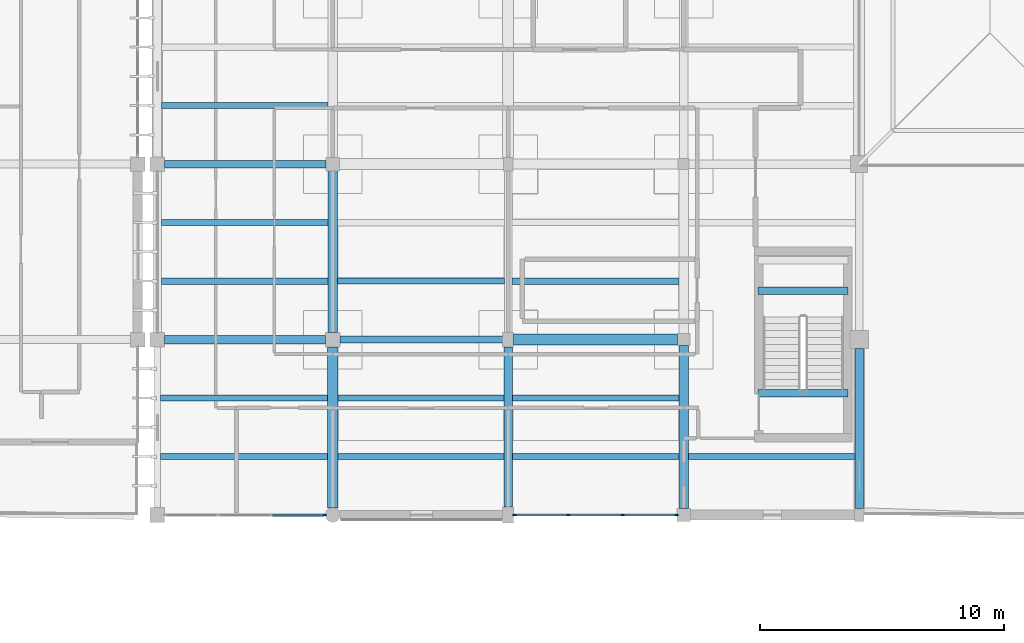
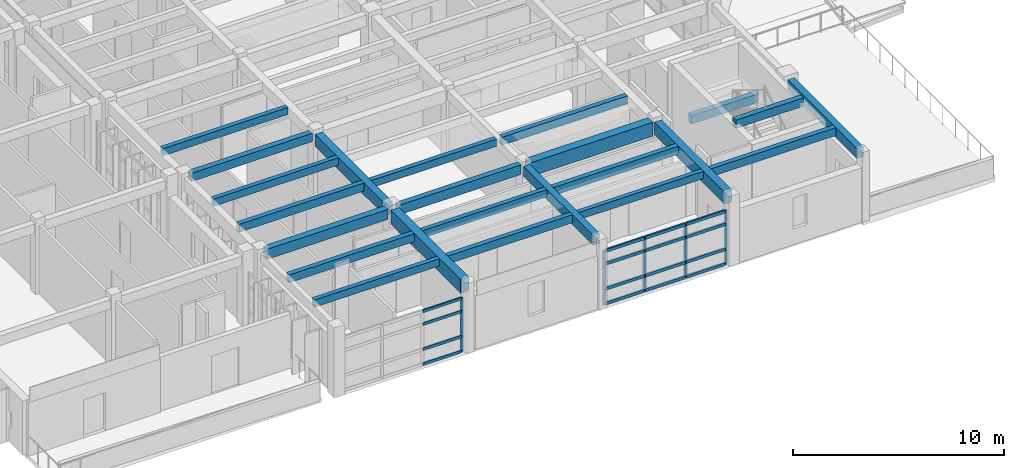
# One storey, part 11 of 55: 23 beams, 21 members, 2 elements without a shape of their own.
"""IFC4 building model written with IfcOpenShell, lengths in metres."""

from ifc_helpers import new_model, si_unit, direction, frame, origin, origin_2d, place, context, subcontext, project, spatial, rectangle, extrude, material, material_profile, profile_set, type_object, element, aggregate, save


model = new_model("IFC4")

# Units and contexts
model_context = context("Model", 3, precision=1e-05, world=origin(), true_north=direction((0.0, 1.0)))
body_context = subcontext(model_context, "Body", "Model", "MODEL_VIEW")
ifc_project = project(units=[si_unit("LENGTHUNIT", "METRE"), si_unit("AREAUNIT", "SQUARE_METRE"), si_unit("VOLUMEUNIT", "CUBIC_METRE"), si_unit("PLANEANGLEUNIT", "RADIAN"), si_unit("MASSUNIT", "GRAM", prefix="KILO")], contexts=[model_context])

# Site, building, storey
site_placement = place(None, origin())
site = spatial("IfcSite", under=ifc_project, at=site_placement, CompositionType="ELEMENT")
building_placement = place(site_placement, origin())
building = spatial("IfcBuilding", under=site, at=building_placement, Name="Steenspoor Specialist Clinic", CompositionType="ELEMENT")
storey_placement = place(building_placement, frame((0.0, 0.0, 13.199951171875)))
storey = spatial("IfcBuildingStorey", under=building, at=storey_placement, Name="L03", CompositionType="ELEMENT", Elevation=13.199951171875)

# Beams
ifc_material_1 = material(Name="Concrete C35/45", Category="concrete")
ifc_material_profile_1 = material_profile(ifc_material_1, rectangle(XDim=0.300048828125, YDim=0.47998046875, at=origin_2d()), Name="RC-BM-300X480")
ifc_profile_set_1 = profile_set([ifc_material_profile_1], Name="Concrete C35/45")
beam_type_1 = type_object("IfcBeamType", Name="BM-RC-300X480", PredefinedType="BEAM", material=ifc_profile_set_1)
for number, where, z_axis, x_axis, name in (
    (1, (142.64990234375, 74.35009765625, 1.66015625), (1.0, 0.0, 0.0), (0.0, 1.0, 0.0), "Stair Mid-Landing Bearer 1 ST-V6B L03"),
    (2, (142.64990234375, 70.14990234375, 3.9599609375), (1.0, 0.0, 0.0), (0.0, 1.0, 0.0), "Stair Well Trimmer Beam ST-V6B L03"),
):
    element("IfcBeam", number, at=place(storey_placement, frame(where, z_axis=z_axis, x_axis=x_axis)), inside=storey, type_object=beam_type_1, Name=name, PredefinedType="BEAM", context=body_context, shape_type="SweptSolid", body=[
        extrude(rectangle(XDim=0.300048828125, YDim=0.47998046875, at=origin_2d()), origin(), (0.0, 0.0, 1.0), 3.7001953125),
    ])
beam_1_placement = place(storey_placement, frame((118.294921875, 79.550048828125, 3.7099609375), z_axis=(1.0, 0.0, 0.0), x_axis=(0.0, 1.0, 0.0)))
element("IfcBeam", 3, at=beam_1_placement, inside=storey, type_object=beam_type_1, Name="BM-V6-L03-X1709", PredefinedType="BEAM", context=body_context, shape_type="SweptSolid", body=[
    extrude(rectangle(XDim=0.300048828125, YDim=0.47998046875, at=origin_2d()), origin(), (0.0, 0.0, 1.0), 6.635009765625),
])
ifc_material_profile_2 = material_profile(ifc_material_1, rectangle(XDim=0.300048828125, YDim=0.550048828125, at=origin_2d()), Name="RC-BM-300X550")
ifc_profile_set_2 = profile_set([ifc_material_profile_2], Name="Concrete C35/45")
beam_type_2 = type_object("IfcBeamType", Name="BM-RC-300X550", PredefinedType="BEAM", material=ifc_profile_set_2)
beam_2_placement = place(storey_placement, frame((125.4951171875, 72.35009765625, 3.675048828125), z_axis=(1.0, 0.0, 0.0), x_axis=(0.0, 1.0, 0.0)))
element("IfcBeam", 4, at=beam_2_placement, inside=storey, type_object=beam_type_2, Name="BM-V6-L03-X1707", PredefinedType="BEAM", context=body_context, shape_type="SweptSolid", body=[
    extrude(rectangle(XDim=0.300048828125, YDim=0.550048828125, at=origin_2d()), origin(), (0.0, 0.0, 1.0), 6.684814453125),
])
ifc_material_profile_3 = material_profile(ifc_material_1, rectangle(XDim=0.35009765625, YDim=0.580078125, at=origin_2d()), Name="RC-BM-350X580")
ifc_profile_set_3 = profile_set([ifc_material_profile_3], Name="Concrete C35/45")
beam_type_3 = type_object("IfcBeamType", Name="BM-RC-350X580", PredefinedType="BEAM", material=ifc_profile_set_3)
beam_3_placement = place(storey_placement, frame((118.294921875, 72.35009765625, 3.66015625), z_axis=(1.0, 0.0, 0.0), x_axis=(0.0, 1.0, 0.0)))
element("IfcBeam", 5, at=beam_3_placement, inside=storey, type_object=beam_type_3, Name="BM-V6-L03-X1706", PredefinedType="BEAM", context=body_context, shape_type="SweptSolid", body=[
    extrude(rectangle(XDim=0.35009765625, YDim=0.580078125, at=origin_2d()), origin(), (0.0, 0.0, 1.0), 6.610107421875),
])
beam_4_placement = place(storey_placement, frame((132.39990234375, 65.469970703125, 3.66015625), z_axis=(0.0, 1.0, 0.0), x_axis=(-1.0, 0.0, 0.0)))
element("IfcBeam", 6, at=beam_4_placement, inside=storey, type_object=beam_type_3, Name="BM-V6-L03-Y1736", PredefinedType="BEAM", context=body_context, shape_type="SweptSolid", body=[
    extrude(rectangle(XDim=0.35009765625, YDim=0.580078125, at=origin_2d()), origin(), (0.0, 0.0, 1.0), 6.5849609375),
])
beam_5_placement = place(storey_placement, frame((146.800048828125, 65.419921875, 3.66015625), z_axis=(0.0, 1.0, 0.0), x_axis=(-1.0, 0.0, 0.0)))
element("IfcBeam", 7, at=beam_5_placement, inside=storey, type_object=beam_type_3, Name="BM-V6-L03-Y1746", PredefinedType="BEAM", context=body_context, shape_type="SweptSolid", body=[
    extrude(rectangle(XDim=0.35009765625, YDim=0.580078125, at=origin_2d()), origin(), (0.0, 0.0, 1.0), 6.56005859375),
])
ifc_material_profile_4 = material_profile(ifc_material_1, rectangle(XDim=0.39990234375, YDim=0.699951171875, at=origin_2d()), Name="RC-BM-400X700")
ifc_profile_set_4 = profile_set([ifc_material_profile_4], Name="Concrete C35/45")
beam_type_4 = type_object("IfcBeamType", Name="BM-RC-400X700", PredefinedType="BEAM", material=ifc_profile_set_4)
beam_6_placement = place(storey_placement, frame((125.199951171875, 72.64501953125, 3.60009765625), z_axis=(0.0, 1.0, 0.0), x_axis=(-1.0, 0.0, 0.0)))
element("IfcBeam", 8, at=beam_6_placement, inside=storey, type_object=beam_type_4, Name="BM-V6-L03-Y1731", PredefinedType="BEAM", context=body_context, shape_type="SweptSolid", body=[
    extrude(rectangle(XDim=0.39990234375, YDim=0.699951171875, at=origin_2d()), origin(), (0.0, 0.0, 1.0), 6.635009765625),
])
beam_7_placement = place(storey_placement, frame((139.60009765625, 65.419921875, 3.60009765625), z_axis=(0.0, 1.0, 0.0), x_axis=(-1.0, 0.0, 0.0)))
element("IfcBeam", 9, at=beam_7_placement, inside=storey, type_object=beam_type_4, Name="BM-V6-L03-Y1742", PredefinedType="BEAM", context=body_context, shape_type="SweptSolid", body=[
    extrude(rectangle(XDim=0.39990234375, YDim=0.699951171875, at=origin_2d()), origin(), (0.0, 0.0, 1.0), 6.68505859375),
])
ifc_material_profile_5 = material_profile(ifc_material_1, rectangle(XDim=0.449951171875, YDim=0.800048828125, at=origin_2d()), Name="RC-BM-450X800")
ifc_profile_set_5 = profile_set([ifc_material_profile_5], Name="Concrete C35/45")
beam_type_5 = type_object("IfcBeamType", Name="BM-RC-450X800", PredefinedType="BEAM", material=ifc_profile_set_5)
beam_8_placement = place(storey_placement, frame((132.6201171875, 72.35009765625, 3.550048828125), z_axis=(1.0, 0.0, 0.0), x_axis=(0.0, 1.0, 0.0)))
element("IfcBeam", 10, at=beam_8_placement, inside=storey, type_object=beam_type_5, Name="BM-V6-L03-X1708", PredefinedType="BEAM", context=body_context, shape_type="SweptSolid", body=[
    extrude(rectangle(XDim=0.449951171875, YDim=0.800048828125, at=origin_2d()), origin(), (0.0, 0.0, 1.0), 6.73486328125),
])
beam_9_placement = place(storey_placement, frame((125.199951171875, 65.445068359375, 3.550048828125), z_axis=(0.0, 1.0, 0.0), x_axis=(-1.0, 0.0, 0.0)))
element("IfcBeam", 11, at=beam_9_placement, inside=storey, type_object=beam_type_5, Name="BM-V6-L03-Y1730", PredefinedType="BEAM", context=body_context, shape_type="SweptSolid", body=[
    extrude(rectangle(XDim=0.449951171875, YDim=0.800048828125, at=origin_2d()), origin(), (0.0, 0.0, 1.0), 6.60986328125),
])

# Curtain wall, member
ifc_material_2 = material(Name="Thermally broken aluminium and low-emissivity glass", Category="aluminium")
curtain_wall_type_1 = type_object("IfcCurtainWallType", Name="CW-HALL-480X820", PredefinedType="USERDEFINED", material=ifc_material_2)
curtain_wall_1_placement = place(storey_placement, origin())
curtain_wall_1 = element("IfcCurtainWall", 12, at=curtain_wall_1_placement, inside=storey, type_object=curtain_wall_type_1, Name="Unitised Curtain Wall CW-V6-L03-195", ObjectType="UNITISED GLAZING", PredefinedType="USERDEFINED")
ifc_material_3 = material(Name="Thermally broken aluminium 6063-T6", Category="aluminium")
ifc_material_profile_6 = material_profile(ifc_material_3, rectangle(XDim=0.06494140625, YDim=0.14990234375, at=origin_2d()), Name="CWM-65X150")
ifc_profile_set_6 = profile_set([ifc_material_profile_6], Name="Thermally broken aluminium 6063-T6")
member_type_1 = type_object("IfcMemberType", Name="CW-MULL-65X150", PredefinedType="MULLION", material=ifc_profile_set_6)
member_1_placement = place(storey_placement, frame((124.867431640625, 65.14990234375, 0.0), z_axis=(0.0, 0.0, 1.0), x_axis=(0.0, -1.0, 0.0)))
member_1 = element("IfcMember", 13, at=member_1_placement, type_object=member_type_1, Name="CW-03 mullion 1", PredefinedType="MULLION", context=body_context, shape_type="SweptSolid", body=[
    extrude(rectangle(XDim=0.06494140625, YDim=0.14990234375, at=origin_2d()), origin(), (0.0, 0.0, 1.0), 3.130126953125),
])

# Curtain wall, members
curtain_wall_type_2 = type_object("IfcCurtainWallType", Name="CW-HALL-650X820", PredefinedType="USERDEFINED", material=ifc_material_2)
curtain_wall_2_placement = place(storey_placement, origin())
curtain_wall_2 = element("IfcCurtainWall", 14, at=curtain_wall_2_placement, inside=storey, type_object=curtain_wall_type_2, Name="Unitised Curtain Wall CW-V6-L03-194", ObjectType="UNITISED GLAZING", PredefinedType="USERDEFINED")
ifc_material_profile_7 = material_profile(ifc_material_3, rectangle(XDim=0.070068359375, YDim=0.1650390625, at=origin_2d()), Name="CWM-70X165")
ifc_profile_set_7 = profile_set([ifc_material_profile_7], Name="Thermally broken aluminium 6063-T6")
member_type_2 = type_object("IfcMemberType", Name="CW-MULL-70X165", PredefinedType="MULLION", material=ifc_profile_set_7)
member_2_placement = place(storey_placement, frame((139.2900390625, 65.14990234375, 0.0), z_axis=(0.0, 0.0, 1.0), x_axis=(0.0, -1.0, 0.0)))
member_2 = element("IfcMember", 15, at=member_2_placement, type_object=member_type_2, Name="CW-02 mullion 1", PredefinedType="MULLION", context=body_context, shape_type="SweptSolid", body=[
    extrude(rectangle(XDim=0.070068359375, YDim=0.1650390625, at=origin_2d()), origin(), (0.0, 0.0, 1.0), 3.130126953125),
])
member_3_placement = place(storey_placement, frame((137.091552734375, 65.14990234375, 0.0), z_axis=(0.0, 0.0, 1.0), x_axis=(0.0, -1.0, 0.0)))
member_3 = element("IfcMember", 16, at=member_3_placement, type_object=member_type_2, Name="CW-02 mullion 2", PredefinedType="MULLION", context=body_context, shape_type="SweptSolid", body=[
    extrude(rectangle(XDim=0.070068359375, YDim=0.1650390625, at=origin_2d()), origin(), (0.0, 0.0, 1.0), 3.130126953125),
])
member_4_placement = place(storey_placement, frame((134.8583984375, 65.14990234375, 0.0), z_axis=(0.0, 0.0, 1.0), x_axis=(0.0, -1.0, 0.0)))
member_4 = element("IfcMember", 17, at=member_4_placement, type_object=member_type_2, Name="CW-02 mullion 3", PredefinedType="MULLION", context=body_context, shape_type="SweptSolid", body=[
    extrude(rectangle(XDim=0.070068359375, YDim=0.1650390625, at=origin_2d()), origin(), (0.0, 0.0, 1.0), 3.130126953125),
])
member_5_placement = place(storey_placement, frame((132.659912109375, 65.14990234375, 0.0), z_axis=(0.0, 0.0, 1.0), x_axis=(0.0, -1.0, 0.0)))
member_5 = element("IfcMember", 18, at=member_5_placement, type_object=member_type_2, Name="CW-02 mullion 4", PredefinedType="MULLION", context=body_context, shape_type="SweptSolid", body=[
    extrude(rectangle(XDim=0.070068359375, YDim=0.1650390625, at=origin_2d()), origin(), (0.0, 0.0, 1.0), 3.130126953125),
])

# Member
ifc_material_profile_8 = material_profile(ifc_material_3, rectangle(XDim=0.080078125, YDim=0.159912109375, at=origin_2d()), Name="CWT-80X160")
ifc_profile_set_8 = profile_set([ifc_material_profile_8], Name="Thermally broken aluminium 6063-T6")
member_type_3 = type_object("IfcMemberType", Name="CW-TRAN-80X160", PredefinedType="USERDEFINED", material=ifc_profile_set_8)
member_6_placement = place(storey_placement, frame((124.8349609375, 65.14990234375, 0.0400390625), z_axis=(-1.0, 0.0, 0.0), x_axis=(0.0, -1.0, 0.0)))
member_6 = element("IfcMember", 19, at=member_6_placement, type_object=member_type_3, Name="CW-03 transom 1.1", ObjectType="TRANSOM", PredefinedType="USERDEFINED", context=body_context, shape_type="SweptSolid", body=[
    extrude(rectangle(XDim=0.080078125, YDim=0.159912109375, at=origin_2d()), origin(), (0.0, 0.0, 1.0), 2.1025390625),
])

member_7_placement = place(storey_placement, frame((124.8349609375, 65.14990234375, 0.900146484375), z_axis=(-1.0, 0.0, 0.0), x_axis=(0.0, -1.0, 0.0)))
member_7 = element("IfcMember", 20, at=member_7_placement, type_object=member_type_3, Name="CW-03 transom 1.2", ObjectType="TRANSOM", PredefinedType="USERDEFINED", context=body_context, shape_type="SweptSolid", body=[
    extrude(rectangle(XDim=0.080078125, YDim=0.159912109375, at=origin_2d()), origin(), (0.0, 0.0, 1.0), 2.1025390625),
])

member_8_placement = place(storey_placement, frame((124.8349609375, 65.14990234375, 2.35009765625), z_axis=(-1.0, 0.0, 0.0), x_axis=(0.0, -1.0, 0.0)))
member_8 = element("IfcMember", 21, at=member_8_placement, type_object=member_type_3, Name="CW-03 transom 1.3", ObjectType="TRANSOM", PredefinedType="USERDEFINED", context=body_context, shape_type="SweptSolid", body=[
    extrude(rectangle(XDim=0.080078125, YDim=0.159912109375, at=origin_2d()), origin(), (0.0, 0.0, 1.0), 2.1025390625),
])

member_9_placement = place(storey_placement, frame((124.8349609375, 65.14990234375, 3.090087890625), z_axis=(-1.0, 0.0, 0.0), x_axis=(0.0, -1.0, 0.0)))
member_9 = element("IfcMember", 22, at=member_9_placement, type_object=member_type_3, Name="CW-03 transom 1.4", ObjectType="TRANSOM", PredefinedType="USERDEFINED", context=body_context, shape_type="SweptSolid", body=[
    extrude(rectangle(XDim=0.080078125, YDim=0.159912109375, at=origin_2d()), origin(), (0.0, 0.0, 1.0), 2.1025390625),
])

aggregate(curtain_wall_1, [member_1, member_6, member_7, member_8, member_9])

ifc_material_profile_9 = material_profile(ifc_material_3, rectangle(XDim=0.090087890625, YDim=0.175048828125, at=origin_2d()), Name="CWT-90X175")
ifc_profile_set_9 = profile_set([ifc_material_profile_9], Name="Thermally broken aluminium 6063-T6")
member_type_4 = type_object("IfcMemberType", Name="CW-TRAN-90X175", PredefinedType="USERDEFINED", material=ifc_profile_set_9)
member_10_placement = place(storey_placement, frame((139.2548828125, 65.14990234375, 0.045166015625), z_axis=(-1.0, 0.0, 0.0), x_axis=(0.0, -1.0, 0.0)))
member_10 = element("IfcMember", 23, at=member_10_placement, type_object=member_type_4, Name="CW-02 transom 1.1", ObjectType="TRANSOM", PredefinedType="USERDEFINED", context=body_context, shape_type="SweptSolid", body=[
    extrude(rectangle(XDim=0.090087890625, YDim=0.175048828125, at=origin_2d()), origin(), (0.0, 0.0, 1.0), 2.128173828125),
])

member_11_placement = place(storey_placement, frame((139.2548828125, 65.14990234375, 0.900146484375), z_axis=(-1.0, 0.0, 0.0), x_axis=(0.0, -1.0, 0.0)))
member_11 = element("IfcMember", 24, at=member_11_placement, type_object=member_type_4, Name="CW-02 transom 1.2", ObjectType="TRANSOM", PredefinedType="USERDEFINED", context=body_context, shape_type="SweptSolid", body=[
    extrude(rectangle(XDim=0.090087890625, YDim=0.175048828125, at=origin_2d()), origin(), (0.0, 0.0, 1.0), 2.128173828125),
])

member_12_placement = place(storey_placement, frame((139.2548828125, 65.14990234375, 2.35009765625), z_axis=(-1.0, 0.0, 0.0), x_axis=(0.0, -1.0, 0.0)))
member_12 = element("IfcMember", 25, at=member_12_placement, type_object=member_type_4, Name="CW-02 transom 1.3", ObjectType="TRANSOM", PredefinedType="USERDEFINED", context=body_context, shape_type="SweptSolid", body=[
    extrude(rectangle(XDim=0.090087890625, YDim=0.175048828125, at=origin_2d()), origin(), (0.0, 0.0, 1.0), 2.128173828125),
])

member_13_placement = place(storey_placement, frame((139.2548828125, 65.14990234375, 3.0849609375), z_axis=(-1.0, 0.0, 0.0), x_axis=(0.0, -1.0, 0.0)))
member_13 = element("IfcMember", 26, at=member_13_placement, type_object=member_type_4, Name="CW-02 transom 1.4", ObjectType="TRANSOM", PredefinedType="USERDEFINED", context=body_context, shape_type="SweptSolid", body=[
    extrude(rectangle(XDim=0.090087890625, YDim=0.175048828125, at=origin_2d()), origin(), (0.0, 0.0, 1.0), 2.128173828125),
])

member_14_placement = place(storey_placement, frame((137.056640625, 65.14990234375, 0.045166015625), z_axis=(-1.0, 0.0, 0.0), x_axis=(0.0, -1.0, 0.0)))
member_14 = element("IfcMember", 27, at=member_14_placement, type_object=member_type_4, Name="CW-02 transom 2.1", ObjectType="TRANSOM", PredefinedType="USERDEFINED", context=body_context, shape_type="SweptSolid", body=[
    extrude(rectangle(XDim=0.090087890625, YDim=0.175048828125, at=origin_2d()), origin(), (0.0, 0.0, 1.0), 2.163330078125),
])

member_15_placement = place(storey_placement, frame((137.056640625, 65.14990234375, 0.900146484375), z_axis=(-1.0, 0.0, 0.0), x_axis=(0.0, -1.0, 0.0)))
member_15 = element("IfcMember", 28, at=member_15_placement, type_object=member_type_4, Name="CW-02 transom 2.2", ObjectType="TRANSOM", PredefinedType="USERDEFINED", context=body_context, shape_type="SweptSolid", body=[
    extrude(rectangle(XDim=0.090087890625, YDim=0.175048828125, at=origin_2d()), origin(), (0.0, 0.0, 1.0), 2.163330078125),
])

member_16_placement = place(storey_placement, frame((137.056640625, 65.14990234375, 2.35009765625), z_axis=(-1.0, 0.0, 0.0), x_axis=(0.0, -1.0, 0.0)))
member_16 = element("IfcMember", 29, at=member_16_placement, type_object=member_type_4, Name="CW-02 transom 2.3", ObjectType="TRANSOM", PredefinedType="USERDEFINED", context=body_context, shape_type="SweptSolid", body=[
    extrude(rectangle(XDim=0.090087890625, YDim=0.175048828125, at=origin_2d()), origin(), (0.0, 0.0, 1.0), 2.163330078125),
])

member_17_placement = place(storey_placement, frame((137.056640625, 65.14990234375, 3.0849609375), z_axis=(-1.0, 0.0, 0.0), x_axis=(0.0, -1.0, 0.0)))
member_17 = element("IfcMember", 30, at=member_17_placement, type_object=member_type_4, Name="CW-02 transom 2.4", ObjectType="TRANSOM", PredefinedType="USERDEFINED", context=body_context, shape_type="SweptSolid", body=[
    extrude(rectangle(XDim=0.090087890625, YDim=0.175048828125, at=origin_2d()), origin(), (0.0, 0.0, 1.0), 2.163330078125),
])

member_18_placement = place(storey_placement, frame((134.8232421875, 65.14990234375, 0.045166015625), z_axis=(-1.0, 0.0, 0.0), x_axis=(0.0, -1.0, 0.0)))
member_18 = element("IfcMember", 31, at=member_18_placement, type_object=member_type_4, Name="CW-02 transom 3.1", ObjectType="TRANSOM", PredefinedType="USERDEFINED", context=body_context, shape_type="SweptSolid", body=[
    extrude(rectangle(XDim=0.090087890625, YDim=0.175048828125, at=origin_2d()), origin(), (0.0, 0.0, 1.0), 2.128173828125),
])

member_19_placement = place(storey_placement, frame((134.8232421875, 65.14990234375, 0.900146484375), z_axis=(-1.0, 0.0, 0.0), x_axis=(0.0, -1.0, 0.0)))
member_19 = element("IfcMember", 32, at=member_19_placement, type_object=member_type_4, Name="CW-02 transom 3.2", ObjectType="TRANSOM", PredefinedType="USERDEFINED", context=body_context, shape_type="SweptSolid", body=[
    extrude(rectangle(XDim=0.090087890625, YDim=0.175048828125, at=origin_2d()), origin(), (0.0, 0.0, 1.0), 2.128173828125),
])

member_20_placement = place(storey_placement, frame((134.8232421875, 65.14990234375, 2.35009765625), z_axis=(-1.0, 0.0, 0.0), x_axis=(0.0, -1.0, 0.0)))
member_20 = element("IfcMember", 33, at=member_20_placement, type_object=member_type_4, Name="CW-02 transom 3.3", ObjectType="TRANSOM", PredefinedType="USERDEFINED", context=body_context, shape_type="SweptSolid", body=[
    extrude(rectangle(XDim=0.090087890625, YDim=0.175048828125, at=origin_2d()), origin(), (0.0, 0.0, 1.0), 2.128173828125),
])

member_21_placement = place(storey_placement, frame((134.8232421875, 65.14990234375, 3.0849609375), z_axis=(-1.0, 0.0, 0.0), x_axis=(0.0, -1.0, 0.0)))
member_21 = element("IfcMember", 34, at=member_21_placement, type_object=member_type_4, Name="CW-02 transom 3.4", ObjectType="TRANSOM", PredefinedType="USERDEFINED", context=body_context, shape_type="SweptSolid", body=[
    extrude(rectangle(XDim=0.090087890625, YDim=0.175048828125, at=origin_2d()), origin(), (0.0, 0.0, 1.0), 2.128173828125),
])

aggregate(curtain_wall_2, [member_2, member_3, member_4, member_5, member_10, member_11, member_12, member_13, member_14, member_15, member_16, member_17, member_18, member_19, member_20, member_21])

# Beams
ifc_material_profile_10 = material_profile(ifc_material_1, rectangle(XDim=0.239990234375, YDim=0.419921875, at=origin_2d()), Name="RC-JT-240X420")
ifc_profile_set_10 = profile_set([ifc_material_profile_10], Name="Concrete C35/45")
beam_type_6 = type_object("IfcBeamType", Name="JT-RC-240X420", PredefinedType="JOIST", material=ifc_profile_set_10)
beam_10_placement = place(storey_placement, frame((118.135009765625, 67.550048828125, 3.739990234375), z_axis=(1.0, 0.0, 0.0), x_axis=(0.0, 1.0, 0.0)))
element("IfcBeam", 35, at=beam_10_placement, inside=storey, type_object=beam_type_6, Name="JT-V6-L03-1750", PredefinedType="JOIST", context=body_context, shape_type="SweptSolid", body=[
    extrude(rectangle(XDim=0.239990234375, YDim=0.419921875, at=origin_2d()), origin(), (0.0, 0.0, 1.0), 6.844970703125),
])
for number, where, z_axis, x_axis, name in (
    (36, (118.175048828125, 77.14990234375, 3.739990234375), (1.0, 0.0, 0.0), (0.0, 1.0, 0.0), "JT-V6-L03-1753"),
    (37, (118.175048828125, 81.949951171875, 3.739990234375), (1.0, 0.0, 0.0), (0.0, 1.0, 0.0), "JT-V6-L03-1754"),
):
    element("IfcBeam", number, at=place(storey_placement, frame(where, z_axis=z_axis, x_axis=x_axis)), inside=storey, type_object=beam_type_6, Name=name, PredefinedType="JOIST", context=body_context, shape_type="SweptSolid", body=[
        extrude(rectangle(XDim=0.239990234375, YDim=0.419921875, at=origin_2d()), origin(), (0.0, 0.0, 1.0), 6.829833984375),
    ])
beam_11_placement = place(storey_placement, frame((125.419921875, 69.949951171875, 3.739990234375), z_axis=(1.0, 0.0, 0.0), x_axis=(0.0, 1.0, 0.0)))
element("IfcBeam", 38, at=beam_11_placement, inside=storey, type_object=beam_type_6, Name="JT-V6-L03-1763", PredefinedType="JOIST", context=body_context, shape_type="SweptSolid", body=[
    extrude(rectangle(XDim=0.239990234375, YDim=0.419921875, at=origin_2d()), origin(), (0.0, 0.0, 1.0), 6.81005859375),
])
beam_12_placement = place(storey_placement, frame((125.39501953125, 74.75, 3.739990234375), z_axis=(1.0, 0.0, 0.0), x_axis=(0.0, 1.0, 0.0)))
element("IfcBeam", 39, at=beam_12_placement, inside=storey, type_object=beam_type_6, Name="JT-V6-L03-1764", PredefinedType="JOIST", context=body_context, shape_type="SweptSolid", body=[
    extrude(rectangle(XDim=0.239990234375, YDim=0.419921875, at=origin_2d()), origin(), (0.0, 0.0, 1.0), 6.85986328125),
])
beam_13_placement = place(storey_placement, frame((132.570068359375, 67.550048828125, 3.739990234375), z_axis=(1.0, 0.0, 0.0), x_axis=(0.0, 1.0, 0.0)))
element("IfcBeam", 40, at=beam_13_placement, inside=storey, type_object=beam_type_6, Name="JT-V6-L03-1772", PredefinedType="JOIST", context=body_context, shape_type="SweptSolid", body=[
    extrude(rectangle(XDim=0.239990234375, YDim=0.419921875, at=origin_2d()), origin(), (0.0, 0.0, 1.0), 6.8349609375),
])
ifc_material_profile_11 = material_profile(ifc_material_1, rectangle(XDim=0.260009765625, YDim=0.4599609375, at=origin_2d()), Name="RC-JT-260X460")
ifc_profile_set_11 = profile_set([ifc_material_profile_11], Name="Concrete C35/45")
beam_type_7 = type_object("IfcBeamType", Name="JT-RC-260X460", PredefinedType="JOIST", material=ifc_profile_set_11)
beam_14_placement = place(storey_placement, frame((118.135009765625, 69.949951171875, 3.719970703125), z_axis=(1.0, 0.0, 0.0), x_axis=(0.0, 1.0, 0.0)))
element("IfcBeam", 41, at=beam_14_placement, inside=storey, type_object=beam_type_7, Name="JT-V6-L03-1751", PredefinedType="JOIST", context=body_context, shape_type="SweptSolid", body=[
    extrude(rectangle(XDim=0.260009765625, YDim=0.4599609375, at=origin_2d()), origin(), (0.0, 0.0, 1.0), 6.844970703125),
])
beam_15_placement = place(storey_placement, frame((118.175048828125, 74.75, 3.719970703125), z_axis=(1.0, 0.0, 0.0), x_axis=(0.0, 1.0, 0.0)))
element("IfcBeam", 42, at=beam_15_placement, inside=storey, type_object=beam_type_7, Name="JT-V6-L03-1752", PredefinedType="JOIST", context=body_context, shape_type="SweptSolid", body=[
    extrude(rectangle(XDim=0.260009765625, YDim=0.4599609375, at=origin_2d()), origin(), (0.0, 0.0, 1.0), 6.829833984375),
])
beam_16_placement = place(storey_placement, frame((125.419921875, 67.550048828125, 3.719970703125), z_axis=(1.0, 0.0, 0.0), x_axis=(0.0, 1.0, 0.0)))
element("IfcBeam", 43, at=beam_16_placement, inside=storey, type_object=beam_type_7, Name="JT-V6-L03-1762", PredefinedType="JOIST", context=body_context, shape_type="SweptSolid", body=[
    extrude(rectangle(XDim=0.260009765625, YDim=0.4599609375, at=origin_2d()), origin(), (0.0, 0.0, 1.0), 6.81005859375),
])
beam_17_placement = place(storey_placement, frame((132.570068359375, 69.949951171875, 3.719970703125), z_axis=(1.0, 0.0, 0.0), x_axis=(0.0, 1.0, 0.0)))
element("IfcBeam", 44, at=beam_17_placement, inside=storey, type_object=beam_type_7, Name="JT-V6-L03-1773", PredefinedType="JOIST", context=body_context, shape_type="SweptSolid", body=[
    extrude(rectangle(XDim=0.260009765625, YDim=0.4599609375, at=origin_2d()), origin(), (0.0, 0.0, 1.0), 6.8349609375),
])
beam_18_placement = place(storey_placement, frame((132.544921875, 74.75, 3.719970703125), z_axis=(1.0, 0.0, 0.0), x_axis=(0.0, 1.0, 0.0)))
element("IfcBeam", 45, at=beam_18_placement, inside=storey, type_object=beam_type_7, Name="JT-V6-L03-1774", PredefinedType="JOIST", context=body_context, shape_type="SweptSolid", body=[
    extrude(rectangle(XDim=0.260009765625, YDim=0.4599609375, at=origin_2d()), origin(), (0.0, 0.0, 1.0), 6.860107421875),
])
beam_19_placement = place(storey_placement, frame((139.794921875, 67.550048828125, 3.719970703125), z_axis=(1.0, 0.0, 0.0), x_axis=(0.0, 1.0, 0.0)))
element("IfcBeam", 46, at=beam_19_placement, inside=storey, type_object=beam_type_7, Name="JT-V6-L03-1779", PredefinedType="JOIST", context=body_context, shape_type="SweptSolid", body=[
    extrude(rectangle(XDim=0.260009765625, YDim=0.4599609375, at=origin_2d()), origin(), (0.0, 0.0, 1.0), 6.8349609375),
])

save(model, "model.ifc")
